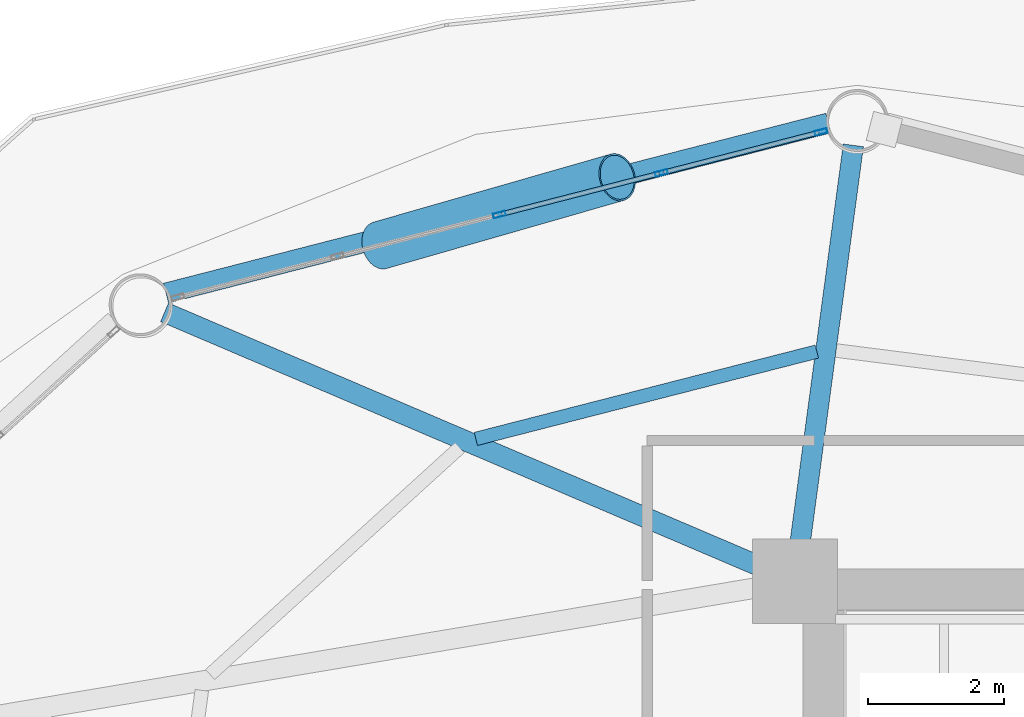
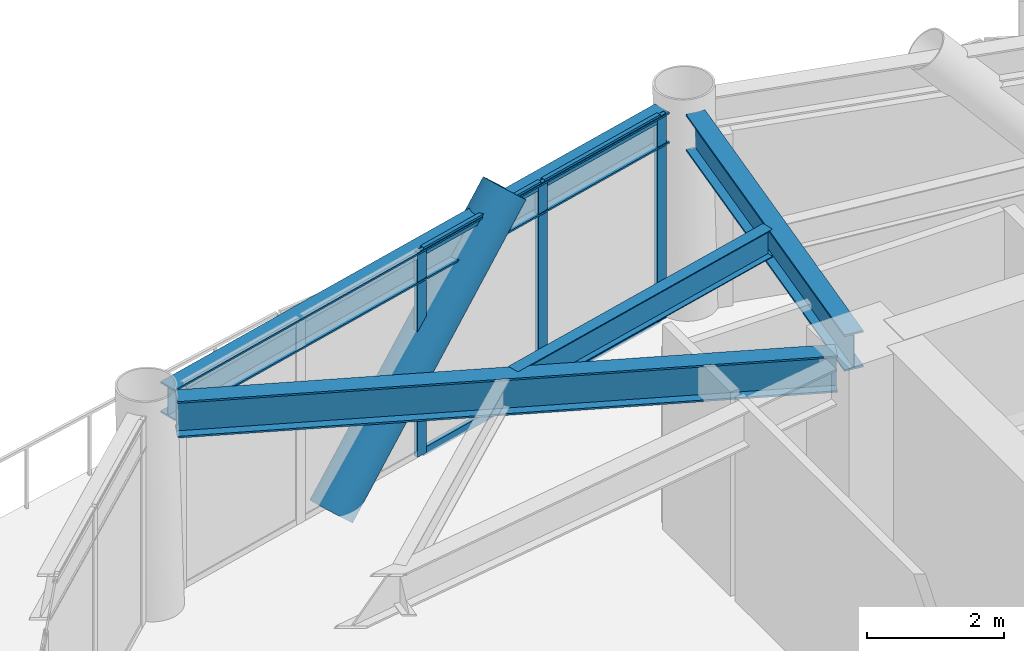
# One storey, part 16 of 25: 8 members, 4 beams, 1 element without a shape of its own.
"""IFC4 building model written with IfcOpenShell, lengths in metres."""

from ifc_helpers import new_model, si_unit, direction, frame, origin, origin_2d, place, context, subcontext, project, spatial, hollow_rectangle, hollow_circle, i_section, extrude, material, layer, layer_set, material_profile, profile_set, type_object, element, aggregate, save


model = new_model("IFC4")

# Units and contexts
model_context = context("Model", 3, precision=1e-05, world=origin(), true_north=direction((0.0, 1.0)))
body_context = subcontext(model_context, "Body", "Model", "MODEL_VIEW")
ifc_project = project(units=[si_unit("LENGTHUNIT", "METRE"), si_unit("AREAUNIT", "SQUARE_METRE"), si_unit("VOLUMEUNIT", "CUBIC_METRE"), si_unit("PLANEANGLEUNIT", "RADIAN"), si_unit("MASSUNIT", "GRAM", prefix="KILO")], contexts=[model_context])

# Site, building, storey
site_placement = place(None, origin())
site = spatial("IfcSite", under=ifc_project, at=site_placement, CompositionType="ELEMENT")
building_placement = place(site_placement, origin())
building = spatial("IfcBuilding", under=site, at=building_placement, Name="Varnakorn Sky Granary", CompositionType="ELEMENT")
storey_placement = place(building_placement, frame((0.0, 0.0, 54.89990234375)))
storey = spatial("IfcBuildingStorey", under=building, at=storey_placement, Name="L13", CompositionType="ELEMENT", Elevation=54.89990234375)

# Beams
ifc_material_1 = material(Name="Steel S355JR", Category="steel")
ifc_material_profile_1 = material_profile(ifc_material_1, i_section(OverallWidth=0.300048828125, OverallDepth=0.64990234375, WebThickness=0.01611328125, FlangeThickness=0.031005859375, at=origin_2d()), Name="HE 650 B")
ifc_profile_set_1 = profile_set([ifc_material_profile_1], Name="Steel S355JR")
beam_type_1 = type_object("IfcBeamType", Name="BM-RAD-Z1", PredefinedType="BEAM", material=ifc_profile_set_1)
beam_1_placement = place(storey_placement, frame((-2.3642578125, 13.036376953125, 3.315185546875), z_axis=(0.132743362832, 0.991150442478, 0.0), x_axis=(-0.991150442478, 0.132743362832, 0.0)))
element("IfcBeam", 1, at=beam_1_placement, inside=storey, type_object=beam_type_1, Name="Radial Floor Girder RG04 L13", PredefinedType="BEAM", context=body_context, shape_type="SweptSolid", body=[
    extrude(i_section(OverallWidth=0.300048828125, OverallDepth=0.64990234375, WebThickness=0.01611328125, FlangeThickness=0.031005859375, at=origin_2d()), origin(), (0.0, 0.0, 1.0), 6.0693359375),
])
beam_2_placement = place(storey_placement, frame((-2.806396484375, 12.784912109375, 3.315185546875), z_axis=(-0.919765437017, 0.392468522139, 0.0), x_axis=(-0.392468522139, -0.919765437017, 0.0)))
element("IfcBeam", 2, at=beam_2_placement, inside=storey, type_object=beam_type_1, Name="Radial Floor Girder RG05 L13", PredefinedType="BEAM", context=body_context, shape_type="SweptSolid", body=[
    extrude(i_section(OverallWidth=0.300048828125, OverallDepth=0.64990234375, WebThickness=0.01611328125, FlangeThickness=0.031005859375, at=origin_2d()), origin(), (0.0, 0.0, 1.0), 9.691162109375),
])
ifc_material_profile_2 = material_profile(ifc_material_1, i_section(OverallWidth=0.199951171875, OverallDepth=0.5, WebThickness=0.01025390625, FlangeThickness=0.01611328125, at=origin_2d()), Name="IPE 500")
ifc_profile_set_2 = profile_set([ifc_material_profile_2], Name="Steel S355JR")
beam_type_2 = type_object("IfcBeamType", Name="BM-SEC-Z1", PredefinedType="BEAM", material=ifc_profile_set_2)
beam_3_placement = place(storey_placement, frame((-2.09716796875, 16.009521484375, 3.39013671875), z_axis=(-0.968732570237, -0.248107249716, 0.0), x_axis=(0.248107249716, -0.968732570237, 0.0)))
element("IfcBeam", 3, at=beam_3_placement, inside=storey, type_object=beam_type_2, Name="Secondary Floor Chord Beam MSB04 L13", PredefinedType="BEAM", context=body_context, shape_type="SweptSolid", body=[
    extrude(i_section(OverallWidth=0.199951171875, OverallDepth=0.5, WebThickness=0.01025390625, FlangeThickness=0.01611328125, at=origin_2d()), origin(), (0.0, 0.0, 1.0), 5.192626953125),
])
ifc_material_profile_3 = material_profile(ifc_material_1, i_section(OverallWidth=0.300048828125, OverallDepth=0.550048828125, WebThickness=0.014892578125, FlangeThickness=0.029052734375, at=origin_2d()), Name="HE 550 B")
ifc_profile_set_3 = profile_set([ifc_material_profile_3], Name="Steel S355JR")
beam_type_3 = type_object("IfcBeamType", Name="BM-SPD-Z1", PredefinedType="SPANDREL", material=ifc_profile_set_3)
beam_4_placement = place(storey_placement, frame((-1.927978515625, 19.380126953125, 3.364990234375), z_axis=(-0.968591261457, -0.248658336337, 0.0), x_axis=(0.248658336337, -0.968591261457, 0.0)))
element("IfcBeam", 4, at=beam_4_placement, inside=storey, type_object=beam_type_3, Name="Perimeter Spandrel Ring Beam RB04 L13", PredefinedType="SPANDREL", context=body_context, shape_type="SweptSolid", body=[
    extrude(i_section(OverallWidth=0.300048828125, OverallDepth=0.550048828125, WebThickness=0.014892578125, FlangeThickness=0.029052734375, at=origin_2d()), origin(), (0.0, 0.0, 1.0), 10.08740234375),
])

# Curtain wall, members
ifc_material_2 = material(Name="Anodised Bronze Aluminium Alloy 6063-T6", Category="aluminium")
ifc_layer = layer(ifc_material_2, 0.18994140625, Name="Anodised Bronze Aluminium Alloy 6063-T6")
ifc_layer_set = layer_set([ifc_layer], Name="Anodised Bronze Aluminium Alloy 6063-T6")
curtain_wall_type = type_object("IfcCurtainWallType", Name="CW-FRM-1", PredefinedType="USERDEFINED", material=ifc_layer_set)
curtain_wall_placement = place(storey_placement, origin())
curtain_wall = element("IfcCurtainWall", 5, at=curtain_wall_placement, inside=storey, type_object=curtain_wall_type, Name="Unitised Curtain Wall CW3 CW-L13-B04", ObjectType="CURTAIN WALL", PredefinedType="USERDEFINED")
ifc_material_profile_4 = material_profile(ifc_material_2, hollow_rectangle(XDim=0.070068359375, YDim=0.18505859375, WallThickness=0.00390625, at=origin_2d()), Name="ALU MULL 70x185")
ifc_profile_set_4 = profile_set([ifc_material_profile_4], Name="Anodised Bronze Aluminium Alloy 6063-T6")
member_type_1 = type_object("IfcMemberType", Name="CW-FRM-1-MULL", PredefinedType="MULLION", material=ifc_profile_set_4)
member_1_placement = place(storey_placement, frame((-6.77978515625, 18.02978515625, 0.0), z_axis=(0.0, 0.0, 1.0), x_axis=(-0.248955770225, 0.96851485506, 0.0)))
member_1 = element("IfcMember", 6, at=member_1_placement, type_object=member_type_1, Name="CW3 mullion 3", PredefinedType="MULLION", context=body_context, shape_type="SweptSolid", body=[
    extrude(hollow_rectangle(XDim=0.070068359375, YDim=0.18505859375, WallThickness=0.00390625, at=origin_2d()), origin(), (0.0, 0.0, 1.0), 3.64013671875),
])
member_2_placement = place(storey_placement, frame((-4.39013671875, 18.64404296875, 0.0), z_axis=(0.0, 0.0, 1.0), x_axis=(-0.248955770225, 0.96851485506, 0.0)))
member_2 = element("IfcMember", 7, at=member_2_placement, type_object=member_type_1, Name="CW3 mullion 4", PredefinedType="MULLION", context=body_context, shape_type="SweptSolid", body=[
    extrude(hollow_rectangle(XDim=0.070068359375, YDim=0.18505859375, WallThickness=0.00390625, at=origin_2d()), origin(), (0.0, 0.0, 1.0), 3.64013671875),
])
member_3_placement = place(storey_placement, frame((-2.03466796875, 19.24951171875, 0.0), z_axis=(0.0, 0.0, 1.0), x_axis=(-0.248955770225, 0.96851485506, 0.0)))
member_3 = element("IfcMember", 8, at=member_3_placement, type_object=member_type_1, Name="CW3 mullion 5", PredefinedType="MULLION", context=body_context, shape_type="SweptSolid", body=[
    extrude(hollow_rectangle(XDim=0.070068359375, YDim=0.18505859375, WallThickness=0.00390625, at=origin_2d()), origin(), (0.0, 0.0, 1.0), 3.64013671875),
])
ifc_material_profile_5 = material_profile(ifc_material_2, hollow_rectangle(XDim=0.070068359375, YDim=0.139892578125, WallThickness=0.00341796875, at=origin_2d()), Name="ALU TRAN 70x140")
ifc_profile_set_5 = profile_set([ifc_material_profile_5], Name="Anodised Bronze Aluminium Alloy 6063-T6")
member_type_2 = type_object("IfcMemberType", Name="CW-FRM-1-TRAN", PredefinedType="USERDEFINED", material=ifc_profile_set_5)
member_4_placement = place(storey_placement, frame((-6.745849609375, 18.03857421875, 0.03515625), z_axis=(0.968528014408, 0.248904570685, 0.0), x_axis=(-0.248904570685, 0.968528014408, 0.0)))
member_4 = element("IfcMember", 9, at=member_4_placement, type_object=member_type_2, Name="CW3 transom 3.1", ObjectType="TRANSOM", PredefinedType="USERDEFINED", context=body_context, shape_type="SweptSolid", body=[
    extrude(hollow_rectangle(XDim=0.070068359375, YDim=0.139892578125, WallThickness=0.00341796875, at=origin_2d()), origin(), (0.0, 0.0, 1.0), 2.397216796875),
])
member_5_placement = place(storey_placement, frame((-6.745849609375, 18.03857421875, 3.60498046875), z_axis=(0.968528014408, 0.248904570685, 0.0), x_axis=(-0.248904570685, 0.968528014408, 0.0)))
member_5 = element("IfcMember", 10, at=member_5_placement, type_object=member_type_2, Name="CW3 transom 3.2", ObjectType="TRANSOM", PredefinedType="USERDEFINED", context=body_context, shape_type="SweptSolid", body=[
    extrude(hollow_rectangle(XDim=0.070068359375, YDim=0.139892578125, WallThickness=0.00341796875, at=origin_2d()), origin(), (0.0, 0.0, 1.0), 2.397216796875),
])
member_6_placement = place(storey_placement, frame((-4.3564453125, 18.65283203125, 0.03515625), z_axis=(0.968510023727, 0.248974564845, 0.0), x_axis=(-0.248974564845, 0.968510023727, 0.0)))
member_6 = element("IfcMember", 11, at=member_6_placement, type_object=member_type_2, Name="CW3 transom 4.1", ObjectType="TRANSOM", PredefinedType="USERDEFINED", context=body_context, shape_type="SweptSolid", body=[
    extrude(hollow_rectangle(XDim=0.070068359375, YDim=0.139892578125, WallThickness=0.00341796875, at=origin_2d()), origin(), (0.0, 0.0, 1.0), 2.3623046875),
])
member_7_placement = place(storey_placement, frame((-4.3564453125, 18.65283203125, 3.60498046875), z_axis=(0.968510023727, 0.248974564845, 0.0), x_axis=(-0.248974564845, 0.968510023727, 0.0)))
member_7 = element("IfcMember", 12, at=member_7_placement, type_object=member_type_2, Name="CW3 transom 4.2", ObjectType="TRANSOM", PredefinedType="USERDEFINED", context=body_context, shape_type="SweptSolid", body=[
    extrude(hollow_rectangle(XDim=0.070068359375, YDim=0.139892578125, WallThickness=0.00341796875, at=origin_2d()), origin(), (0.0, 0.0, 1.0), 2.3623046875),
])
aggregate(curtain_wall, [member_1, member_2, member_3, member_4, member_5, member_6, member_7])

# Member
ifc_material_3 = material(Name="Steel S460M", Category="steel")
ifc_material_profile_6 = material_profile(ifc_material_3, hollow_circle(Radius=0.35546875, WallThickness=0.02490234375, at=origin_2d()), Name="CHS 711x25")
ifc_profile_set_6 = profile_set([ifc_material_profile_6], Name="Steel S460M")
member_type_3 = type_object("IfcMemberType", Name="MB-DIAG-T0", PredefinedType="BRACE", material=ifc_profile_set_6)
member_8_placement = place(storey_placement, frame((-8.539794921875, 17.577392578125, -0.1298828125), z_axis=(0.653948513729, 0.187566274111, 0.732918982021), x_axis=(-0.275704662497, 0.961242393508, 0.0)))
element("IfcMember", 13, at=member_8_placement, inside=storey, type_object=member_type_3, Name="Perimeter CHS Diagrid Brace DG04 L13", PredefinedType="BRACE", context=body_context, shape_type="SweptSolid", body=[
    extrude(hollow_circle(Radius=0.35546875, WallThickness=0.02490234375, at=origin_2d()), origin(), (0.0, 0.0, 1.0), 5.348388671875),
])

save(model, "model.ifc")
